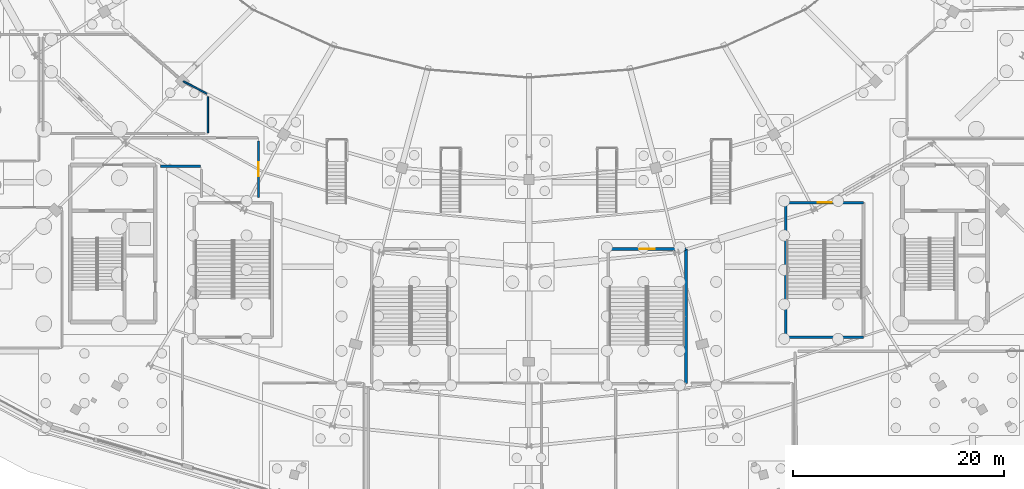
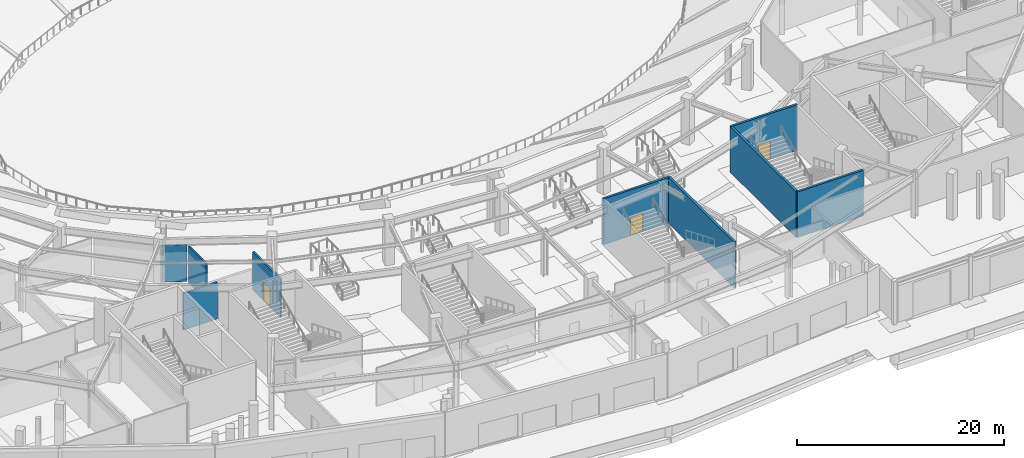
# One storey, part 55 of 93: 9 walls, 3 doors, 3 openings.
"""IFC4 building model written with IfcOpenShell, lengths in metres."""

from ifc_helpers import new_model, si_unit, direction, frame, frame_2d, origin, place, context, subcontext, project, spatial, rectangle, extrude, material, layer, layer_set, type_object, element, fill, save


model = new_model("IFC4")

# Units and contexts
model_context = context("Model", 3, precision=1e-05, world=origin(), true_north=direction((0.0, 1.0)))
body_context = subcontext(model_context, "Body", "Model", "MODEL_VIEW")
ifc_project = project(units=[si_unit("LENGTHUNIT", "METRE"), si_unit("AREAUNIT", "SQUARE_METRE"), si_unit("VOLUMEUNIT", "CUBIC_METRE"), si_unit("PLANEANGLEUNIT", "RADIAN"), si_unit("MASSUNIT", "GRAM", prefix="KILO")], contexts=[model_context])

# Site, building, storey
site_placement = place(None, origin())
site = spatial("IfcSite", under=ifc_project, at=site_placement, CompositionType="ELEMENT")
building_placement = place(site_placement, origin())
building = spatial("IfcBuilding", under=site, at=building_placement, Name="Kalgoora Escarpment Arena", CompositionType="ELEMENT")
storey_placement = place(building_placement, origin())
storey = spatial("IfcBuildingStorey", under=building, at=storey_placement, Name="L00", CompositionType="ELEMENT", Elevation=0.0)

# Wall
ifc_material_1 = material(Name="Autoclaved aerated blockwork Concrete N40 (fc' 40 MPa)", Category="masonry")
ifc_layer_1 = layer(ifc_material_1, 0.219970703125)
ifc_layer_set_1 = layer_set([ifc_layer_1], Name="WAL-FIRE-220")
wall_type_1 = type_object("IfcWallType", Name="WAL-FIRE-220", PredefinedType="SOLIDWALL", material=ifc_layer_set_1)
wall_1_placement = place(storey_placement, frame((61.320068359375, 33.5, 0.0), z_axis=(0.0, 0.0, 1.0), x_axis=(-1.0, 0.0, 0.0)))
element("IfcWall", 1, at=wall_1_placement, inside=storey, type_object=wall_type_1, Name="L00 South-West Protected Exit Passageway 2 partition wall", PredefinedType="SOLIDWALL", context=body_context, shape_type="SweptSolid", body=[
    extrude(rectangle(XDim=3.795166015625, YDim=0.219970703125, at=frame_2d((1.8974609375, 0.0))), origin(), (0.0, 0.0, 1.0), 4.31494140625),
])

# Wall, opening, door
wall_2_placement = place(storey_placement, frame((66.800048828125, 35.915283203125, 0.0), z_axis=(0.0, 0.0, 1.0), x_axis=(0.0, -1.0, 0.0)))
wall_2 = element("IfcWall", 2, at=wall_2_placement, inside=storey, type_object=wall_type_1, Name="L00 South-West Protected Exit Passageway 2 partition wall", PredefinedType="SOLIDWALL", context=body_context, shape_type="SweptSolid", body=[
    extrude(rectangle(XDim=5.34033203125, YDim=0.219970703125, at=frame_2d((2.670166015625, 0.0))), origin(), (0.0, 0.0, 1.0), 4.5029296875),
])
opening_1_placement = place(wall_2_placement, frame((2.010009765625, 0.0, 0.0)))
opening_1 = element("IfcOpeningElement", 3, at=opening_1_placement, cuts=wall_2, Name="Opening FD-I041", PredefinedType="OPENING", context=body_context, shape_type="SweptSolid", body=[
    extrude(rectangle(XDim=1.320068359375, YDim=2.199951171875, at=frame_2d((0.66015625, 1.10009765625))), frame((0.0, 0.119873046875, 0.0), z_axis=(0.0, -1.0, 0.0), x_axis=(1.0, 0.0, 0.0)), (0.0, 0.0, 1.0), 0.239990234375),
])
ifc_material_2 = material(Name="Fire-rated steel stair leaf with vision panel", Category="steel")
door_type_1 = type_object("IfcDoorType", Name="DR-STAIR-1320", OperationType="NOTDEFINED", PredefinedType="DOOR", material=ifc_material_2)
door_1_placement = place(opening_1_placement, origin())
door_1 = element("IfcDoor", 4, at=door_1_placement, inside=storey, type_object=door_type_1, Name="South-West Protected Exit Passageway 2 entrance door", OperationType="SINGLE_SWING_RIGHT", OverallHeight=2.199951171875, OverallWidth=1.320068359375, PredefinedType="DOOR", context=body_context, shape_type="SweptSolid", body=[
    extrude(rectangle(XDim=1.320068359375, YDim=2.199951171875, at=frame_2d((0.66015625, 1.10009765625))), frame((0.0, 0.02490234375, 0.0), z_axis=(0.0, -1.0, 0.0), x_axis=(1.0, 0.0, 0.0)), (0.0, 0.0, 1.0), 0.050048828125),
])
fill(opening_1, door_1)

# Walls
ifc_material_3 = material(Name="Insulated steel-stud acoustic partition", Category="steel")
ifc_layer_2 = layer(ifc_material_3, 0.14501953125)
ifc_layer_set_2 = layer_set([ifc_layer_2], Name="WAL-ROOM-145")
wall_type_2 = type_object("IfcWallType", Name="WAL-ROOM-145", PredefinedType="PARTITIONING", material=ifc_layer_set_2)
wall_3_placement = place(storey_placement, frame((59.67041015625, 41.55810546875, 0.0), z_axis=(0.0, 0.0, 1.0), x_axis=(0.887197958106, -0.461388971619, 0.0)))
element("IfcWall", 5, at=wall_3_placement, inside=storey, type_object=wall_type_2, Name="L00 Cold Beverage Cellar partition wall", PredefinedType="PARTITIONING", context=body_context, shape_type="SweptSolid", body=[
    extrude(rectangle(XDim=2.545654296875, YDim=0.14501953125, at=frame_2d((1.27294921875, 0.0))), origin(), (0.0, 0.0, 1.0), 4.31494140625),
])
wall_4_placement = place(storey_placement, frame((62.0, 40.095458984375, 0.0), z_axis=(0.0, 0.0, 1.0), x_axis=(0.0, -1.0, 0.0)))
element("IfcWall", 6, at=wall_4_placement, inside=storey, type_object=wall_type_2, Name="L00 Cold Beverage Cellar partition wall", PredefinedType="PARTITIONING", context=body_context, shape_type="SweptSolid", body=[
    extrude(rectangle(XDim=3.41552734375, YDim=0.14501953125, at=frame_2d((1.707763671875, 0.0))), origin(), (0.0, 0.0, 1.0), 4.31494140625),
])

# Wall, opening, door
ifc_material_4 = material(Name="Concrete N50 (fc' 50 MPa)", Category="concrete")
ifc_layer_3 = layer(ifc_material_4, 0.25)
ifc_layer_set_3 = layer_set([ifc_layer_3], Name="WAL-STAIR-250")
wall_type_3 = type_object("IfcWallType", Name="WAL-STAIR-250", PredefinedType="SHEAR", material=ifc_layer_set_3)
wall_5_placement = place(storey_placement, frame((99.925048828125, 25.675048828125, 0.0), z_axis=(0.0, 0.0, 1.0), x_axis=(1.0, 0.0, 0.0)))
wall_5 = element("IfcWall", 7, at=wall_5_placement, inside=storey, type_object=wall_type_3, Name="Exit stair ST15 L00 north wall", PredefinedType="SHEAR", context=body_context, shape_type="SweptSolid", body=[
    extrude(rectangle(XDim=7.349853515625, YDim=0.25, at=frame_2d((3.6748046875, 0.0))), origin(), (0.0, 0.0, 1.0), 5.39990234375),
])
opening_2_placement = place(wall_5_placement, frame((2.97509765625, 0.0, 0.0)))
opening_2 = element("IfcOpeningElement", 8, at=opening_2_placement, cuts=wall_5, Name="Opening FD-ST15", PredefinedType="OPENING", context=body_context, shape_type="SweptSolid", body=[
    extrude(rectangle(XDim=1.39990234375, YDim=2.199951171875, at=frame_2d((0.699951171875, 1.10009765625))), frame((0.0, 0.135009765625, 0.0), z_axis=(0.0, -1.0, 0.0), x_axis=(1.0, 0.0, 0.0)), (0.0, 0.0, 1.0), 0.27001953125),
])
ifc_material_5 = material(Name="Fire-rated steel stair leaf with vision panel", Category="steel")
door_type_2 = type_object("IfcDoorType", Name="DR-STAIR-1400", OperationType="NOTDEFINED", PredefinedType="DOOR", material=ifc_material_5)
door_2_placement = place(opening_2_placement, origin())
door_2 = element("IfcDoor", 9, at=door_2_placement, inside=storey, type_object=door_type_2, Name="Fire-isolated stair ST15 L00 egress door", OperationType="SINGLE_SWING_RIGHT", OverallHeight=2.199951171875, OverallWidth=1.39990234375, PredefinedType="DOOR", context=body_context, shape_type="SweptSolid", body=[
    extrude(rectangle(XDim=1.39990234375, YDim=2.199951171875, at=frame_2d((0.699951171875, 1.10009765625))), frame((0.0, 0.02490234375, 0.0), z_axis=(0.0, -1.0, 0.0), x_axis=(1.0, 0.0, 0.0)), (0.0, 0.0, 1.0), 0.050048828125),
])
fill(opening_2, door_2)

# Walls
wall_6_placement = place(storey_placement, frame((107.27490234375, 12.925048828125, 0.0), z_axis=(0.0, 0.0, 1.0), x_axis=(0.0, 1.0, 0.0)))
element("IfcWall", 10, at=wall_6_placement, inside=storey, type_object=wall_type_3, Name="Exit stair ST15 L00 east wall", PredefinedType="SHEAR", context=body_context, shape_type="SweptSolid", body=[
    extrude(rectangle(XDim=12.75, YDim=0.25, at=frame_2d((6.375, 0.0))), origin(), (0.0, 0.0, 1.0), 5.39990234375),
])
wall_7_placement = place(storey_placement, frame((116.72509765625, 17.324951171875, 0.0), z_axis=(0.0, 0.0, 1.0), x_axis=(1.0, 0.0, 0.0)))
element("IfcWall", 11, at=wall_7_placement, inside=storey, type_object=wall_type_3, Name="Exit stair ST16 L00 south wall", PredefinedType="SHEAR", context=body_context, shape_type="SweptSolid", body=[
    extrude(rectangle(XDim=7.349853515625, YDim=0.25, at=frame_2d((3.6748046875, 0.0))), origin(), (0.0, 0.0, 1.0), 5.39990234375),
])

# Wall, opening, door
wall_8_placement = place(storey_placement, frame((116.72509765625, 30.074951171875, 0.0), z_axis=(0.0, 0.0, 1.0), x_axis=(1.0, 0.0, 0.0)))
wall_8 = element("IfcWall", 12, at=wall_8_placement, inside=storey, type_object=wall_type_3, Name="Exit stair ST16 L00 north wall", PredefinedType="SHEAR", context=body_context, shape_type="SweptSolid", body=[
    extrude(rectangle(XDim=7.349853515625, YDim=0.25, at=frame_2d((3.6748046875, 0.0))), origin(), (0.0, 0.0, 1.0), 5.39990234375),
])
opening_3_placement = place(wall_8_placement, frame((3.014892578125, 0.0, 0.0)))
opening_3 = element("IfcOpeningElement", 13, at=opening_3_placement, cuts=wall_8, Name="Opening FD-ST16", PredefinedType="OPENING", context=body_context, shape_type="SweptSolid", body=[
    extrude(rectangle(XDim=1.320068359375, YDim=2.199951171875, at=frame_2d((0.66015625, 1.10009765625))), frame((0.0, 0.135009765625, 0.0), z_axis=(0.0, -1.0, 0.0), x_axis=(1.0, 0.0, 0.0)), (0.0, 0.0, 1.0), 0.27001953125),
])
door_3_placement = place(opening_3_placement, origin())
door_3 = element("IfcDoor", 14, at=door_3_placement, inside=storey, type_object=door_type_1, Name="Fire-isolated stair ST16 L00 egress door", OperationType="SINGLE_SWING_LEFT", OverallHeight=2.199951171875, OverallWidth=1.320068359375, PredefinedType="DOOR", context=body_context, shape_type="SweptSolid", body=[
    extrude(rectangle(XDim=1.320068359375, YDim=2.199951171875, at=frame_2d((0.66015625, 1.10009765625))), frame((0.0, 0.02490234375, 0.0), z_axis=(0.0, -1.0, 0.0), x_axis=(1.0, 0.0, 0.0)), (0.0, 0.0, 1.0), 0.050048828125),
])
fill(opening_3, door_3)

# Wall
wall_9_placement = place(storey_placement, frame((116.72509765625, 17.324951171875, 0.0), z_axis=(0.0, 0.0, 1.0), x_axis=(0.0, 1.0, 0.0)))
element("IfcWall", 15, at=wall_9_placement, inside=storey, type_object=wall_type_3, Name="Exit stair ST16 L00 west wall", PredefinedType="SHEAR", context=body_context, shape_type="SweptSolid", body=[
    extrude(rectangle(XDim=12.75, YDim=0.25, at=frame_2d((6.375, 0.0))), origin(), (0.0, 0.0, 1.0), 5.39990234375),
])

save(model, "model.ifc")
